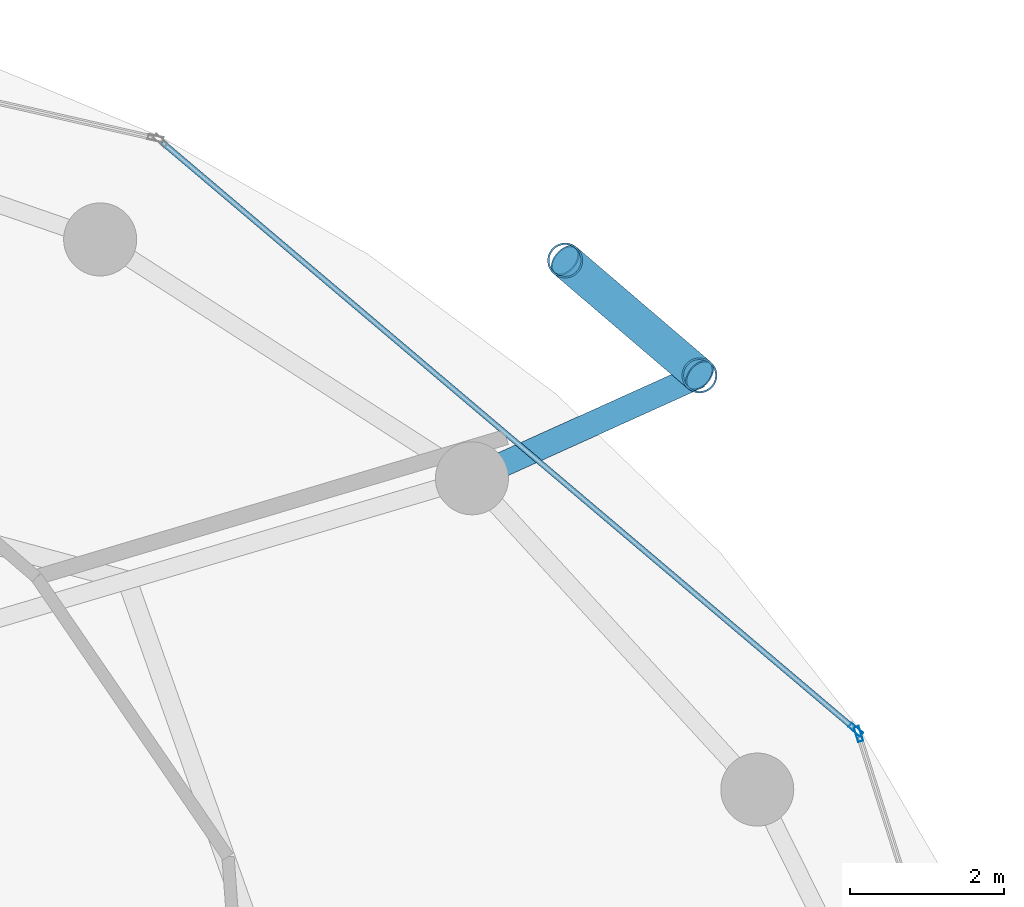
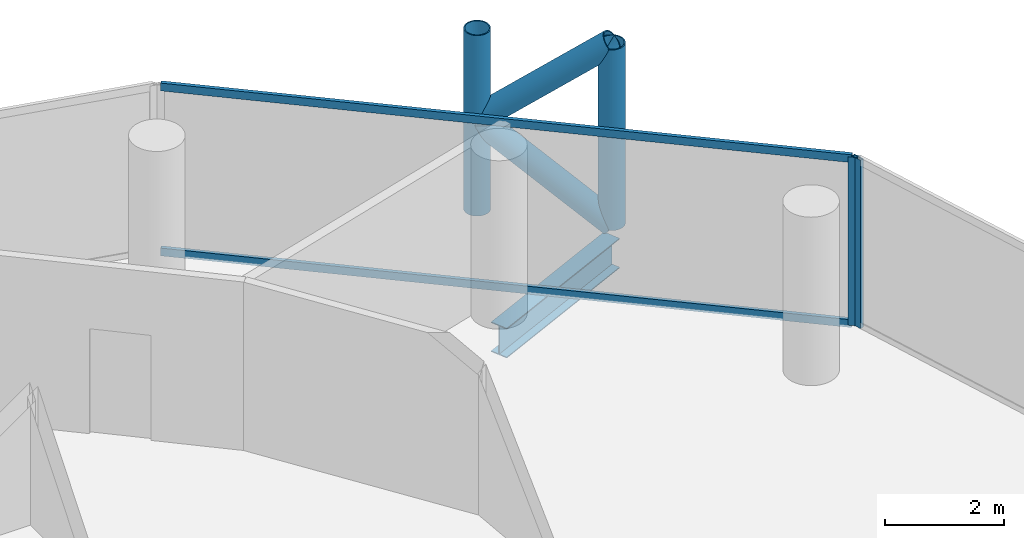
# One storey, part 19 of 26: 8 members, 1 beam, 2 elements without a shape of their own.
"""IFC4 building model written with IfcOpenShell, lengths in metres."""

from ifc_helpers import new_model, si_unit, direction, frame, origin, origin_2d, place, context, subcontext, project, spatial, hollow_rectangle, hollow_circle, i_section, extrude, material, layer, layer_set, material_profile, profile_set, type_object, element, aggregate, save


model = new_model("IFC4")

# Units and contexts
model_context = context("Model", 3, precision=1e-05, world=origin(), true_north=direction((0.0, 1.0)))
body_context = subcontext(model_context, "Body", "Model", "MODEL_VIEW")
ifc_project = project(units=[si_unit("LENGTHUNIT", "METRE"), si_unit("AREAUNIT", "SQUARE_METRE"), si_unit("VOLUMEUNIT", "CUBIC_METRE"), si_unit("PLANEANGLEUNIT", "RADIAN"), si_unit("MASSUNIT", "GRAM", prefix="KILO")], contexts=[model_context])

# Site, building, storey
site_placement = place(None, origin())
site = spatial("IfcSite", under=ifc_project, at=site_placement, CompositionType="ELEMENT")
building_placement = place(site_placement, origin())
building = spatial("IfcBuilding", under=site, at=building_placement, Name="Nuhasar Tower", CompositionType="ELEMENT")
storey_placement = place(building_placement, frame((0.0, 0.0, 151.550048828125)))
storey = spatial("IfcBuildingStorey", under=building, at=storey_placement, Name="L36", CompositionType="ELEMENT", Elevation=151.550048828125)

# Beam
ifc_material_1 = material(Name="Steel S355", Category="steel")
ifc_material_profile_1 = material_profile(ifc_material_1, i_section(OverallWidth=0.323974609375, OverallDepth=0.611083984375, WebThickness=0.0126953125, FlangeThickness=0.01904296875, at=origin_2d()), Name="W24X104")
ifc_profile_set_1 = profile_set([ifc_material_profile_1], Name="Steel S355")
beam_type = type_object("IfcBeamType", Name="BM-TIE-W24X104", PredefinedType="BEAM", material=ifc_profile_set_1)
beam_placement = place(storey_placement, frame((55.510986328125, 40.6240234375, -0.554931640625), z_axis=(0.911239591969, 0.411876687891, 0.0), x_axis=(-0.411876687891, 0.911239591969, 0.0)))
element("IfcBeam", 1, at=beam_placement, inside=storey, type_object=beam_type, Name="L36 Exoskeleton Node Tie Beam 02", PredefinedType="BEAM", context=body_context, shape_type="SweptSolid", body=[
    extrude(i_section(OverallWidth=0.323974609375, OverallDepth=0.611083984375, WebThickness=0.0126953125, FlangeThickness=0.01904296875, at=origin_2d()), origin(), (0.0, 0.0, 1.0), 3.248291015625),
])

# Curtain wall, member
ifc_material_2 = material(Name="Aluminium 6063-T6", Category="aluminium")
ifc_layer = layer(ifc_material_2, 0.199951171875)
ifc_layer_set = layer_set([ifc_layer], Name="Aluminium 6063-T6")
curtain_wall_type = type_object("IfcCurtainWallType", Name="CW-Z2-HTL", PredefinedType="NOTDEFINED", material=ifc_layer_set)
curtain_wall_1_placement = place(storey_placement, origin())
curtain_wall_1 = element("IfcCurtainWall", 2, at=curtain_wall_1_placement, inside=storey, type_object=curtain_wall_type, Name="L36 Unitised Curtain Wall 01", PredefinedType="NOTDEFINED")
ifc_material_profile_2 = material_profile(ifc_material_2, hollow_rectangle(XDim=0.070068359375, YDim=0.199951171875, WallThickness=0.0048828125, at=origin_2d()), Name="CWM-3")
ifc_profile_set_2 = profile_set([ifc_material_profile_2], Name="Aluminium 6063-T6")
member_type_1 = type_object("IfcMemberType", Name="CW-MUL-S3", PredefinedType="MULLION", material=ifc_profile_set_2)
member_1_placement = place(storey_placement, frame((60.53955078125, 37.296630859375, 0.0), z_axis=(0.0, 0.0, 1.0), x_axis=(-0.953433389233, -0.301603667577, 0.0)))
member_1 = element("IfcMember", 3, at=member_1_placement, type_object=member_type_1, Name="CW-Z2 mullion 2", PredefinedType="MULLION", context=body_context, shape_type="SweptSolid", body=[
    extrude(hollow_rectangle(XDim=0.070068359375, YDim=0.199951171875, WallThickness=0.0048828125, at=origin_2d()), origin(), (0.0, 0.0, 1.0), 3.449951171875),
])
aggregate(curtain_wall_1, [member_1])

# Curtain wall, members
curtain_wall_2_placement = place(storey_placement, origin())
curtain_wall_2 = element("IfcCurtainWall", 4, at=curtain_wall_2_placement, inside=storey, type_object=curtain_wall_type, Name="L36 Unitised Curtain Wall 02", PredefinedType="NOTDEFINED")
member_2_placement = place(storey_placement, frame((60.502197265625, 37.3525390625, 0.0), z_axis=(0.0, 0.0, 1.0), x_axis=(-0.646374438324, -0.763020370292, 0.0)))
member_2 = element("IfcMember", 5, at=member_2_placement, type_object=member_type_1, Name="CW-Z2 mullion 1", PredefinedType="MULLION", context=body_context, shape_type="SweptSolid", body=[
    extrude(hollow_rectangle(XDim=0.070068359375, YDim=0.199951171875, WallThickness=0.0048828125, at=origin_2d()), origin(), (0.0, 0.0, 1.0), 3.449951171875),
])
ifc_material_profile_3 = material_profile(ifc_material_2, hollow_rectangle(XDim=0.070068359375, YDim=0.159912109375, WallThickness=0.00439453125, at=origin_2d()), Name="CWT-3")
ifc_profile_set_3 = profile_set([ifc_material_profile_3], Name="Aluminium 6063-T6")
member_type_2 = type_object("IfcMemberType", Name="CW-TRN-S3", PredefinedType="USERDEFINED", material=ifc_profile_set_3)
member_3_placement = place(storey_placement, frame((60.4755859375, 37.375244140625, 0.034912109375), z_axis=(-0.763023915269, 0.646370253592, 0.0), x_axis=(-0.646370253592, -0.763023915269, 0.0)))
member_3 = element("IfcMember", 6, at=member_3_placement, type_object=member_type_2, Name="CW-Z2 transom 1.1", ObjectType="TRANSOM", PredefinedType="USERDEFINED", context=body_context, shape_type="SweptSolid", body=[
    extrude(hollow_rectangle(XDim=0.070068359375, YDim=0.159912109375, WallThickness=0.00439453125, at=origin_2d()), origin(), (0.0, 0.0, 1.0), 11.784912109375),
])
member_4_placement = place(storey_placement, frame((60.4755859375, 37.375244140625, 3.4150390625), z_axis=(-0.763023915269, 0.646370253592, 0.0), x_axis=(-0.646370253592, -0.763023915269, 0.0)))
member_4 = element("IfcMember", 7, at=member_4_placement, type_object=member_type_2, Name="CW-Z2 transom 1.2", ObjectType="TRANSOM", PredefinedType="USERDEFINED", context=body_context, shape_type="SweptSolid", body=[
    extrude(hollow_rectangle(XDim=0.070068359375, YDim=0.159912109375, WallThickness=0.00439453125, at=origin_2d()), origin(), (0.0, 0.0, 1.0), 11.784912109375),
])
aggregate(curtain_wall_2, [member_2, member_3, member_4])

# Members
ifc_material_3 = material(Name="Steel S460", Category="steel")
ifc_material_profile_4 = material_profile(ifc_material_3, hollow_circle(Radius=0.228515625, WallThickness=0.022216796875, at=origin_2d()), Name="HSS457X22.2")
ifc_profile_set_4 = profile_set([ifc_material_profile_4], Name="Steel S460")
member_type_3 = type_object("IfcMemberType", Name="EXO-BRONZE-457", PredefinedType="BRACE", material=ifc_profile_set_4)
for number, where, z_axis, x_axis, name in (
    (8, (58.470947265625, 41.9619140625, 0.0), (0.0, 0.0, 1.0), (1.0, 0.0, 0.0), "L36 Exoskeleton Chord Column EC-02A"),
    (9, (56.722900390625, 43.45703125, 0.0), (0.0, 0.0, 1.0), (1.0, 0.0, 0.0), "L36 Exoskeleton Chord Column EC-02B"),
):
    element("IfcMember", number, at=place(storey_placement, frame(where, z_axis=z_axis, x_axis=x_axis)), inside=storey, type_object=member_type_3, Name=name, PredefinedType="BRACE", context=body_context, shape_type="SweptSolid", body=[
        extrude(hollow_circle(Radius=0.228515625, WallThickness=0.022216796875, at=origin_2d()), origin(), (0.0, 0.0, 1.0), 3.699951171875),
    ])
member_5_placement = place(storey_placement, frame((58.470947265625, 41.9619140625, 0.0), z_axis=(-0.592201065785, 0.506513872468, 0.626690988192), x_axis=(-0.649986859795, -0.759945446788, 0.0)))
element("IfcMember", 10, at=member_5_placement, inside=storey, type_object=member_type_3, Name="L36 Bronze Diagrid Brace W1-02", PredefinedType="BRACE", context=body_context, shape_type="SweptSolid", body=[
    extrude(hollow_circle(Radius=0.228515625, WallThickness=0.022216796875, at=origin_2d()), origin(), (0.0, 0.0, 1.0), 2.95166015625),
])
member_6_placement = place(storey_placement, frame((56.722900390625, 43.45703125, 1.849853515625), z_axis=(0.592170370358, -0.506487618445, 0.626741210415), x_axis=(0.649986859795, 0.759945446788, 0.0)))
element("IfcMember", 11, at=member_6_placement, inside=storey, type_object=member_type_3, Name="L36 Bronze Diagrid Brace W2-02", PredefinedType="BRACE", context=body_context, shape_type="SweptSolid", body=[
    extrude(hollow_circle(Radius=0.228515625, WallThickness=0.022216796875, at=origin_2d()), origin(), (0.0, 0.0, 1.0), 2.951904296875),
])

save(model, "model.ifc")
